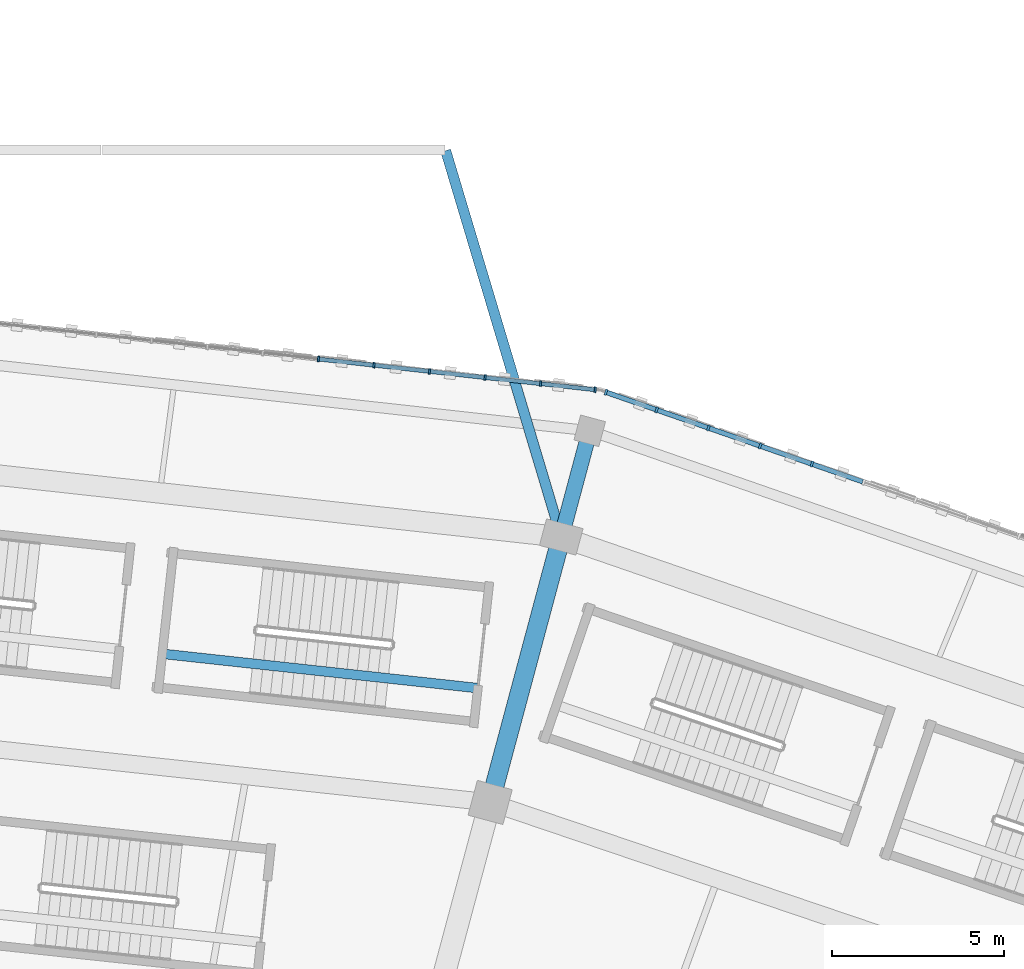
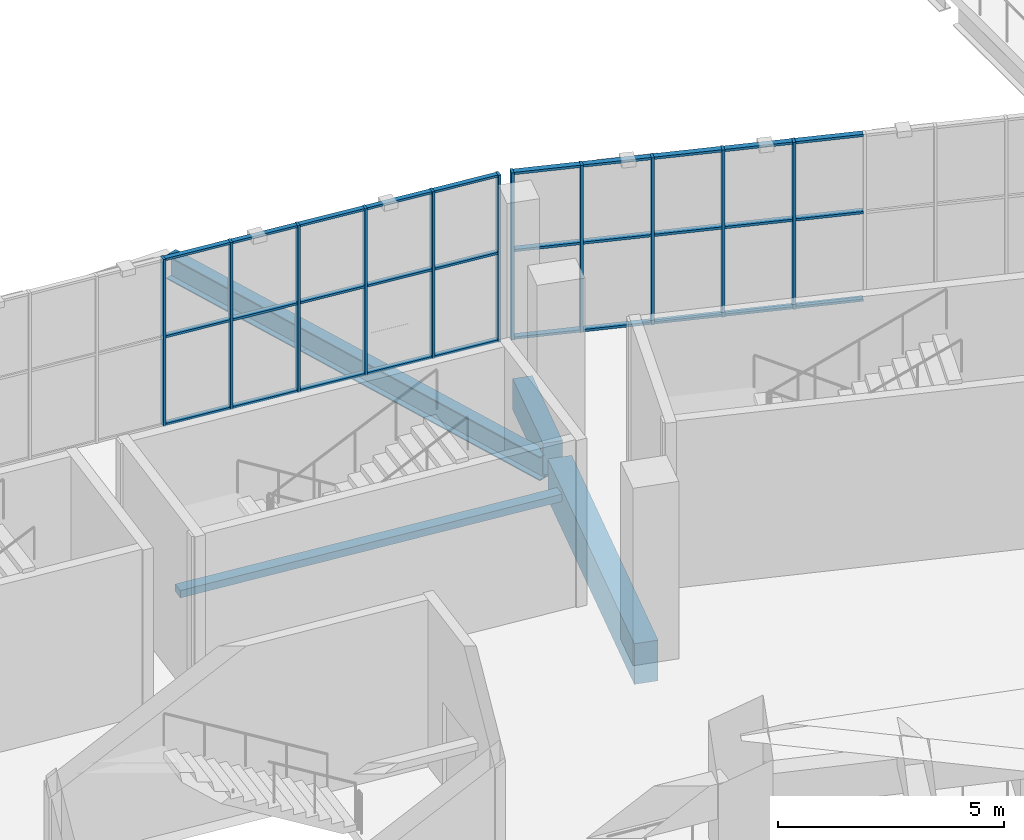
# One storey, part 64 of 183: 41 members, 4 beams, 2 elements without a shape of their own.
"""IFC4 building model written with IfcOpenShell, lengths in metres."""

from ifc_helpers import new_model, si_unit, direction, frame, origin, origin_2d, place, context, subcontext, project, spatial, rectangle, i_section, extrude, material, material_profile, profile_set, type_object, element, aggregate, save


model = new_model("IFC4")

# Units and contexts
model_context = context("Model", 3, precision=1e-05, world=origin(), true_north=direction((0.0, 1.0)))
body_context = subcontext(model_context, "Body", "Model", "MODEL_VIEW")
ifc_project = project(units=[si_unit("LENGTHUNIT", "METRE"), si_unit("AREAUNIT", "SQUARE_METRE"), si_unit("VOLUMEUNIT", "CUBIC_METRE"), si_unit("PLANEANGLEUNIT", "RADIAN"), si_unit("MASSUNIT", "GRAM", prefix="KILO")], contexts=[model_context])

# Site, building, storey
site_placement = place(None, origin())
site = spatial("IfcSite", under=ifc_project, at=site_placement, CompositionType="ELEMENT")
building_placement = place(site_placement, origin())
building = spatial("IfcBuilding", under=site, at=building_placement, Name="Zevraka Park Crest Stadium", CompositionType="ELEMENT")
storey_placement = place(building_placement, frame((0.0, 0.0, 5.39990234375)))
storey = spatial("IfcBuildingStorey", under=building, at=storey_placement, Name="L01", CompositionType="ELEMENT", Elevation=5.39990234375)

# Beams
ifc_material_1 = material(Name="Concrete C40/50", Category="concrete")
ifc_material_profile_1 = material_profile(ifc_material_1, rectangle(XDim=0.550048828125, YDim=1.10009765625, at=origin_2d()), Name="RC 1100x550")
ifc_profile_set_1 = profile_set([ifc_material_profile_1], Name="Concrete C40/50")
beam_type_1 = type_object("IfcBeamType", Name="BG02", PredefinedType="BEAM", material=ifc_profile_set_1)
beam_1_placement = place(storey_placement, frame((133.37890625, 157.297119140625, -0.559814453125), z_axis=(0.258697599806, 0.965958359276, 0.0), x_axis=(-0.965958359276, 0.258697599806, 0.0)))
element("IfcBeam", 1, at=beam_1_placement, inside=storey, type_object=beam_type_1, Name="Radial Girder BG02 L01-CD-05", PredefinedType="BEAM", context=body_context, shape_type="SweptSolid", body=[
    extrude(rectangle(XDim=0.550048828125, YDim=1.10009765625, at=origin_2d()), origin(), (0.0, 0.0, 1.0), 7.39892578125),
])
ifc_material_2 = material(Name="Concrete C40/50", Category="concrete")
ifc_material_profile_2 = material_profile(ifc_material_2, rectangle(XDim=0.449951171875, YDim=0.85009765625, at=origin_2d()), Name="RC 850x450")
ifc_profile_set_2 = profile_set([ifc_material_profile_2], Name="Concrete C40/50")
beam_type_2 = type_object("IfcBeamType", Name="BG03", PredefinedType="BEAM", material=ifc_profile_set_2)
beam_2_placement = place(storey_placement, frame((135.448974609375, 165.02392578125, -0.434814453125), z_axis=(0.258919157159, 0.965898995784, 0.0), x_axis=(-0.965898995784, 0.258919157159, 0.0)))
element("IfcBeam", 2, at=beam_2_placement, inside=storey, type_object=beam_type_2, Name="Radial Girder BG03 L01-DE-05", PredefinedType="BEAM", context=body_context, shape_type="SweptSolid", body=[
    extrude(rectangle(XDim=0.449951171875, YDim=0.85009765625, at=origin_2d()), origin(), (0.0, 0.0, 1.0), 2.599609375),
])
ifc_material_3 = material(Name="Steel S355", Category="steel")
ifc_material_profile_3 = material_profile(ifc_material_3, i_section(OverallWidth=0.300048828125, OverallDepth=0.64990234375, WebThickness=0.01611328125, FlangeThickness=0.031005859375, at=origin_2d()), Name="HEB 650")
ifc_profile_set_3 = profile_set([ifc_material_profile_3], Name="Steel S355")
beam_type_3 = type_object("IfcBeamType", Name="BG07", PredefinedType="BEAM", material=ifc_profile_set_3)
beam_3_placement = place(storey_placement, frame((132.006103515625, 175.98095703125, -0.635009765625), z_axis=(0.286654964462, -0.958033888414, 0.0), x_axis=(0.958033888414, 0.286654964462, 0.0)))
element("IfcBeam", 3, at=beam_3_placement, inside=storey, type_object=beam_type_3, Name="Arcade Tie Beam BG07 PADN", PredefinedType="BEAM", context=body_context, shape_type="SweptSolid", body=[
    extrude(i_section(OverallWidth=0.300048828125, OverallDepth=0.64990234375, WebThickness=0.01611328125, FlangeThickness=0.031005859375, at=origin_2d()), origin(), (0.0, 0.0, 1.0), 11.37939453125),
])

# Curtain wall, members
ifc_material_4 = material(Name="Anodised architectural aluminium and laminated safety glass", Category="aluminium")
curtain_wall_type_1 = type_object("IfcCurtainWallType", Name="CW01", PredefinedType="NOTDEFINED", material=ifc_material_4)
curtain_wall_1_placement = place(storey_placement, origin())
curtain_wall_1 = element("IfcCurtainWall", 4, at=curtain_wall_1_placement, inside=storey, type_object=curtain_wall_type_1, Name="Unitised Ring Curtain Wall CW01 L01-05", PredefinedType="NOTDEFINED")
ifc_material_5 = material(Name="Anodised architectural aluminium", Category="aluminium")
ifc_material_profile_4 = material_profile(ifc_material_5, rectangle(XDim=0.159912109375, YDim=0.06005859375, at=origin_2d()), Name="ALU MULLION 160x60")
ifc_profile_set_4 = profile_set([ifc_material_profile_4], Name="Anodised architectural aluminium")
member_type_1 = type_object("IfcMemberType", Name="CM01", PredefinedType="MULLION", material=ifc_profile_set_4)
member_1_placement = place(storey_placement, frame((136.358154296875, 169.020263671875, 0.0), z_axis=(0.0, 0.0, 1.0), x_axis=(-0.110134718639, -0.993916668414, 0.0)))
member_1 = element("IfcMember", 5, at=member_1_placement, type_object=member_type_1, Name="CW01 mullion 1", PredefinedType="MULLION", context=body_context, shape_type="SweptSolid", body=[
    extrude(rectangle(XDim=0.159912109375, YDim=0.06005859375, at=origin_2d()), origin(), (0.0, 0.0, 1.0), 4.52001953125),
])
member_2_placement = place(storey_placement, frame((134.770751953125, 169.1962890625, 0.0), z_axis=(0.0, 0.0, 1.0), x_axis=(-0.110134718639, -0.993916668414, 0.0)))
member_2 = element("IfcMember", 6, at=member_2_placement, type_object=member_type_1, Name="CW01 mullion 2", PredefinedType="MULLION", context=body_context, shape_type="SweptSolid", body=[
    extrude(rectangle(XDim=0.159912109375, YDim=0.06005859375, at=origin_2d()), origin(), (0.0, 0.0, 1.0), 4.52001953125),
])
member_3_placement = place(storey_placement, frame((133.153564453125, 169.37548828125, 0.0), z_axis=(0.0, 0.0, 1.0), x_axis=(-0.110134718639, -0.993916668414, 0.0)))
member_3 = element("IfcMember", 7, at=member_3_placement, type_object=member_type_1, Name="CW01 mullion 3", PredefinedType="MULLION", context=body_context, shape_type="SweptSolid", body=[
    extrude(rectangle(XDim=0.159912109375, YDim=0.06005859375, at=origin_2d()), origin(), (0.0, 0.0, 1.0), 4.52001953125),
])
member_4_placement = place(storey_placement, frame((131.536376953125, 169.5546875, 0.0), z_axis=(0.0, 0.0, 1.0), x_axis=(-0.110134718639, -0.993916668414, 0.0)))
member_4 = element("IfcMember", 8, at=member_4_placement, type_object=member_type_1, Name="CW01 mullion 4", PredefinedType="MULLION", context=body_context, shape_type="SweptSolid", body=[
    extrude(rectangle(XDim=0.159912109375, YDim=0.06005859375, at=origin_2d()), origin(), (0.0, 0.0, 1.0), 4.52001953125),
])
member_5_placement = place(storey_placement, frame((129.919189453125, 169.73388671875, 0.0), z_axis=(0.0, 0.0, 1.0), x_axis=(-0.110134718639, -0.993916668414, 0.0)))
member_5 = element("IfcMember", 9, at=member_5_placement, type_object=member_type_1, Name="CW01 mullion 5", PredefinedType="MULLION", context=body_context, shape_type="SweptSolid", body=[
    extrude(rectangle(XDim=0.159912109375, YDim=0.06005859375, at=origin_2d()), origin(), (0.0, 0.0, 1.0), 4.52001953125),
])
member_6_placement = place(storey_placement, frame((128.302001953125, 169.9130859375, 0.0), z_axis=(0.0, 0.0, 1.0), x_axis=(-0.110134718639, -0.993916668414, 0.0)))
member_6 = element("IfcMember", 10, at=member_6_placement, type_object=member_type_1, Name="CW01 mullion 6", PredefinedType="MULLION", context=body_context, shape_type="SweptSolid", body=[
    extrude(rectangle(XDim=0.159912109375, YDim=0.06005859375, at=origin_2d()), origin(), (0.0, 0.0, 1.0), 4.52001953125),
])

ifc_material_6 = material(Name="Anodised architectural aluminium and laminated safety glass", Category="aluminium")
curtain_wall_type_2 = type_object("IfcCurtainWallType", Name="CW02", PredefinedType="NOTDEFINED", material=ifc_material_6)
curtain_wall_2_placement = place(storey_placement, origin())
curtain_wall_2 = element("IfcCurtainWall", 11, at=curtain_wall_2_placement, inside=storey, type_object=curtain_wall_type_2, Name="Unitised Ring Curtain Wall CW02 L01-04", PredefinedType="NOTDEFINED")
ifc_material_7 = material(Name="Anodised architectural aluminium", Category="aluminium")
ifc_material_profile_5 = material_profile(ifc_material_7, rectangle(XDim=0.179931640625, YDim=0.06494140625, at=origin_2d()), Name="ALU MULLION 180x65")
ifc_profile_set_5 = profile_set([ifc_material_profile_5], Name="Anodised architectural aluminium")
member_type_2 = type_object("IfcMemberType", Name="CM02", PredefinedType="MULLION", material=ifc_profile_set_5)
member_7_placement = place(storey_placement, frame((142.66845703125, 166.85791015625, 0.0), z_axis=(0.0, 0.0, 1.0), x_axis=(-0.329209289879, -0.944256979565, 0.0)))
member_7 = element("IfcMember", 12, at=member_7_placement, type_object=member_type_2, Name="CW02 mullion 12", PredefinedType="MULLION", context=body_context, shape_type="SweptSolid", body=[
    extrude(rectangle(XDim=0.179931640625, YDim=0.06494140625, at=origin_2d()), origin(), (0.0, 0.0, 1.0), 4.52001953125),
])
member_8_placement = place(storey_placement, frame((141.161865234375, 167.38330078125, 0.0), z_axis=(0.0, 0.0, 1.0), x_axis=(-0.329209289879, -0.944256979565, 0.0)))
member_8 = element("IfcMember", 13, at=member_8_placement, type_object=member_type_2, Name="CW02 mullion 13", PredefinedType="MULLION", context=body_context, shape_type="SweptSolid", body=[
    extrude(rectangle(XDim=0.179931640625, YDim=0.06494140625, at=origin_2d()), origin(), (0.0, 0.0, 1.0), 4.52001953125),
])
member_9_placement = place(storey_placement, frame((139.6552734375, 167.908447265625, 0.0), z_axis=(0.0, 0.0, 1.0), x_axis=(-0.329209289879, -0.944256979565, 0.0)))
member_9 = element("IfcMember", 14, at=member_9_placement, type_object=member_type_2, Name="CW02 mullion 14", PredefinedType="MULLION", context=body_context, shape_type="SweptSolid", body=[
    extrude(rectangle(XDim=0.179931640625, YDim=0.06494140625, at=origin_2d()), origin(), (0.0, 0.0, 1.0), 4.52001953125),
])
member_10_placement = place(storey_placement, frame((138.148681640625, 168.433837890625, 0.0), z_axis=(0.0, 0.0, 1.0), x_axis=(-0.329209289879, -0.944256979565, 0.0)))
member_10 = element("IfcMember", 15, at=member_10_placement, type_object=member_type_2, Name="CW02 mullion 15", PredefinedType="MULLION", context=body_context, shape_type="SweptSolid", body=[
    extrude(rectangle(XDim=0.179931640625, YDim=0.06494140625, at=origin_2d()), origin(), (0.0, 0.0, 1.0), 4.52001953125),
])
member_11_placement = place(storey_placement, frame((136.672607421875, 168.9482421875, 0.0), z_axis=(0.0, 0.0, 1.0), x_axis=(-0.329209289879, -0.944256979565, 0.0)))
member_11 = element("IfcMember", 16, at=member_11_placement, type_object=member_type_2, Name="CW02 mullion 16", PredefinedType="MULLION", context=body_context, shape_type="SweptSolid", body=[
    extrude(rectangle(XDim=0.179931640625, YDim=0.06494140625, at=origin_2d()), origin(), (0.0, 0.0, 1.0), 4.52001953125),
])

# Member
ifc_material_8 = material(Name="Anodised architectural aluminium", Category="aluminium")
ifc_material_profile_6 = material_profile(ifc_material_8, rectangle(XDim=0.1201171875, YDim=0.06005859375, at=origin_2d()), Name="ALU TRANSOM 120x60")
ifc_profile_set_6 = profile_set([ifc_material_profile_6], Name="Anodised architectural aluminium")
member_type_3 = type_object("IfcMemberType", Name="CT01", PredefinedType="USERDEFINED", material=ifc_profile_set_6)
member_12_placement = place(storey_placement, frame((136.328369140625, 169.023681640625, 0.030029296875), z_axis=(-0.99392434185, 0.110065447252, 0.0), x_axis=(-0.110065447252, -0.99392434185, 0.0)))
member_12 = element("IfcMember", 17, at=member_12_placement, type_object=member_type_3, Name="CW01 transom 1.1", ObjectType="TRANSOM", PredefinedType="USERDEFINED", context=body_context, shape_type="SweptSolid", body=[
    extrude(rectangle(XDim=0.1201171875, YDim=0.06005859375, at=origin_2d()), origin(), (0.0, 0.0, 1.0), 1.537109375),
])

member_13_placement = place(storey_placement, frame((136.328369140625, 169.023681640625, 2.400146484375), z_axis=(-0.99392434185, 0.110065447252, 0.0), x_axis=(-0.110065447252, -0.99392434185, 0.0)))
member_13 = element("IfcMember", 18, at=member_13_placement, type_object=member_type_3, Name="CW01 transom 1.2", ObjectType="TRANSOM", PredefinedType="USERDEFINED", context=body_context, shape_type="SweptSolid", body=[
    extrude(rectangle(XDim=0.1201171875, YDim=0.06005859375, at=origin_2d()), origin(), (0.0, 0.0, 1.0), 1.537109375),
])

member_14_placement = place(storey_placement, frame((136.328369140625, 169.023681640625, 4.489990234375), z_axis=(-0.99392434185, 0.110065447252, 0.0), x_axis=(-0.110065447252, -0.99392434185, 0.0)))
member_14 = element("IfcMember", 19, at=member_14_placement, type_object=member_type_3, Name="CW01 transom 1.3", ObjectType="TRANSOM", PredefinedType="USERDEFINED", context=body_context, shape_type="SweptSolid", body=[
    extrude(rectangle(XDim=0.1201171875, YDim=0.06005859375, at=origin_2d()), origin(), (0.0, 0.0, 1.0), 1.537109375),
])

member_15_placement = place(storey_placement, frame((134.740966796875, 169.199462890625, 0.030029296875), z_axis=(-0.993915989308, 0.110140847091, 0.0), x_axis=(-0.110140847091, -0.993915989308, 0.0)))
member_15 = element("IfcMember", 20, at=member_15_placement, type_object=member_type_3, Name="CW01 transom 2.1", ObjectType="TRANSOM", PredefinedType="USERDEFINED", context=body_context, shape_type="SweptSolid", body=[
    extrude(rectangle(XDim=0.1201171875, YDim=0.06005859375, at=origin_2d()), origin(), (0.0, 0.0, 1.0), 1.567138671875),
])

member_16_placement = place(storey_placement, frame((134.740966796875, 169.199462890625, 2.400146484375), z_axis=(-0.993915989308, 0.110140847091, 0.0), x_axis=(-0.110140847091, -0.993915989308, 0.0)))
member_16 = element("IfcMember", 21, at=member_16_placement, type_object=member_type_3, Name="CW01 transom 2.2", ObjectType="TRANSOM", PredefinedType="USERDEFINED", context=body_context, shape_type="SweptSolid", body=[
    extrude(rectangle(XDim=0.1201171875, YDim=0.06005859375, at=origin_2d()), origin(), (0.0, 0.0, 1.0), 1.567138671875),
])

member_17_placement = place(storey_placement, frame((134.740966796875, 169.199462890625, 4.489990234375), z_axis=(-0.993915989308, 0.110140847091, 0.0), x_axis=(-0.110140847091, -0.993915989308, 0.0)))
member_17 = element("IfcMember", 22, at=member_17_placement, type_object=member_type_3, Name="CW01 transom 2.3", ObjectType="TRANSOM", PredefinedType="USERDEFINED", context=body_context, shape_type="SweptSolid", body=[
    extrude(rectangle(XDim=0.1201171875, YDim=0.06005859375, at=origin_2d()), origin(), (0.0, 0.0, 1.0), 1.567138671875),
])

member_18_placement = place(storey_placement, frame((133.123779296875, 169.378662109375, 0.030029296875), z_axis=(-0.993915989308, 0.110140847091, 0.0), x_axis=(-0.110140847091, -0.993915989308, 0.0)))
member_18 = element("IfcMember", 23, at=member_18_placement, type_object=member_type_3, Name="CW01 transom 3.1", ObjectType="TRANSOM", PredefinedType="USERDEFINED", context=body_context, shape_type="SweptSolid", body=[
    extrude(rectangle(XDim=0.1201171875, YDim=0.06005859375, at=origin_2d()), origin(), (0.0, 0.0, 1.0), 1.567138671875),
])

member_19_placement = place(storey_placement, frame((133.123779296875, 169.378662109375, 2.400146484375), z_axis=(-0.993915989308, 0.110140847091, 0.0), x_axis=(-0.110140847091, -0.993915989308, 0.0)))
member_19 = element("IfcMember", 24, at=member_19_placement, type_object=member_type_3, Name="CW01 transom 3.2", ObjectType="TRANSOM", PredefinedType="USERDEFINED", context=body_context, shape_type="SweptSolid", body=[
    extrude(rectangle(XDim=0.1201171875, YDim=0.06005859375, at=origin_2d()), origin(), (0.0, 0.0, 1.0), 1.567138671875),
])

member_20_placement = place(storey_placement, frame((133.123779296875, 169.378662109375, 4.489990234375), z_axis=(-0.993915989308, 0.110140847091, 0.0), x_axis=(-0.110140847091, -0.993915989308, 0.0)))
member_20 = element("IfcMember", 25, at=member_20_placement, type_object=member_type_3, Name="CW01 transom 3.3", ObjectType="TRANSOM", PredefinedType="USERDEFINED", context=body_context, shape_type="SweptSolid", body=[
    extrude(rectangle(XDim=0.1201171875, YDim=0.06005859375, at=origin_2d()), origin(), (0.0, 0.0, 1.0), 1.567138671875),
])

member_21_placement = place(storey_placement, frame((131.506591796875, 169.557861328125, 0.030029296875), z_axis=(-0.993915989308, 0.110140847091, 0.0), x_axis=(-0.110140847091, -0.993915989308, 0.0)))
member_21 = element("IfcMember", 26, at=member_21_placement, type_object=member_type_3, Name="CW01 transom 4.1", ObjectType="TRANSOM", PredefinedType="USERDEFINED", context=body_context, shape_type="SweptSolid", body=[
    extrude(rectangle(XDim=0.1201171875, YDim=0.06005859375, at=origin_2d()), origin(), (0.0, 0.0, 1.0), 1.567138671875),
])

member_22_placement = place(storey_placement, frame((131.506591796875, 169.557861328125, 2.400146484375), z_axis=(-0.993915989308, 0.110140847091, 0.0), x_axis=(-0.110140847091, -0.993915989308, 0.0)))
member_22 = element("IfcMember", 27, at=member_22_placement, type_object=member_type_3, Name="CW01 transom 4.2", ObjectType="TRANSOM", PredefinedType="USERDEFINED", context=body_context, shape_type="SweptSolid", body=[
    extrude(rectangle(XDim=0.1201171875, YDim=0.06005859375, at=origin_2d()), origin(), (0.0, 0.0, 1.0), 1.567138671875),
])

member_23_placement = place(storey_placement, frame((131.506591796875, 169.557861328125, 4.489990234375), z_axis=(-0.993915989308, 0.110140847091, 0.0), x_axis=(-0.110140847091, -0.993915989308, 0.0)))
member_23 = element("IfcMember", 28, at=member_23_placement, type_object=member_type_3, Name="CW01 transom 4.3", ObjectType="TRANSOM", PredefinedType="USERDEFINED", context=body_context, shape_type="SweptSolid", body=[
    extrude(rectangle(XDim=0.1201171875, YDim=0.06005859375, at=origin_2d()), origin(), (0.0, 0.0, 1.0), 1.567138671875),
])

member_24_placement = place(storey_placement, frame((129.889404296875, 169.737060546875, 0.030029296875), z_axis=(-0.993915989308, 0.110140847091, 0.0), x_axis=(-0.110140847091, -0.993915989308, 0.0)))
member_24 = element("IfcMember", 29, at=member_24_placement, type_object=member_type_3, Name="CW01 transom 5.1", ObjectType="TRANSOM", PredefinedType="USERDEFINED", context=body_context, shape_type="SweptSolid", body=[
    extrude(rectangle(XDim=0.1201171875, YDim=0.06005859375, at=origin_2d()), origin(), (0.0, 0.0, 1.0), 1.567138671875),
])

member_25_placement = place(storey_placement, frame((129.889404296875, 169.737060546875, 2.400146484375), z_axis=(-0.993915989308, 0.110140847091, 0.0), x_axis=(-0.110140847091, -0.993915989308, 0.0)))
member_25 = element("IfcMember", 30, at=member_25_placement, type_object=member_type_3, Name="CW01 transom 5.2", ObjectType="TRANSOM", PredefinedType="USERDEFINED", context=body_context, shape_type="SweptSolid", body=[
    extrude(rectangle(XDim=0.1201171875, YDim=0.06005859375, at=origin_2d()), origin(), (0.0, 0.0, 1.0), 1.567138671875),
])

member_26_placement = place(storey_placement, frame((129.889404296875, 169.737060546875, 4.489990234375), z_axis=(-0.993915989308, 0.110140847091, 0.0), x_axis=(-0.110140847091, -0.993915989308, 0.0)))
member_26 = element("IfcMember", 31, at=member_26_placement, type_object=member_type_3, Name="CW01 transom 5.3", ObjectType="TRANSOM", PredefinedType="USERDEFINED", context=body_context, shape_type="SweptSolid", body=[
    extrude(rectangle(XDim=0.1201171875, YDim=0.06005859375, at=origin_2d()), origin(), (0.0, 0.0, 1.0), 1.567138671875),
])

aggregate(curtain_wall_1, [member_1, member_2, member_3, member_4, member_5, member_6, member_12, member_13, member_14, member_15, member_16, member_17, member_18, member_19, member_20, member_21, member_22, member_23, member_24, member_25, member_26])

ifc_material_9 = material(Name="Anodised architectural aluminium", Category="aluminium")
ifc_material_profile_7 = material_profile(ifc_material_9, rectangle(XDim=0.139892578125, YDim=0.06494140625, at=origin_2d()), Name="ALU TRANSOM 140x65")
ifc_profile_set_7 = profile_set([ifc_material_profile_7], Name="Anodised architectural aluminium")
member_type_4 = type_object("IfcMemberType", Name="CT02", PredefinedType="USERDEFINED", material=ifc_profile_set_7)
member_27_placement = place(storey_placement, frame((144.144287109375, 166.34326171875, 0.03271484375), z_axis=(-0.944255540278, 0.329213418097, 0.0), x_axis=(-0.329213418097, -0.944255540278, 0.0)))
member_27 = element("IfcMember", 32, at=member_27_placement, type_object=member_type_4, Name="CW02 transom 11.1", ObjectType="TRANSOM", PredefinedType="USERDEFINED", context=body_context, shape_type="SweptSolid", body=[
    extrude(rectangle(XDim=0.139892578125, YDim=0.06494140625, at=origin_2d()), origin(), (0.0, 0.0, 1.0), 1.530517578125),
])

member_28_placement = place(storey_placement, frame((144.144287109375, 166.34326171875, 2.400146484375), z_axis=(-0.944255540278, 0.329213418097, 0.0), x_axis=(-0.329213418097, -0.944255540278, 0.0)))
member_28 = element("IfcMember", 33, at=member_28_placement, type_object=member_type_4, Name="CW02 transom 11.2", ObjectType="TRANSOM", PredefinedType="USERDEFINED", context=body_context, shape_type="SweptSolid", body=[
    extrude(rectangle(XDim=0.139892578125, YDim=0.06494140625, at=origin_2d()), origin(), (0.0, 0.0, 1.0), 1.530517578125),
])

member_29_placement = place(storey_placement, frame((144.144287109375, 166.34326171875, 4.487548828125), z_axis=(-0.944255540278, 0.329213418097, 0.0), x_axis=(-0.329213418097, -0.944255540278, 0.0)))
member_29 = element("IfcMember", 34, at=member_29_placement, type_object=member_type_4, Name="CW02 transom 11.3", ObjectType="TRANSOM", PredefinedType="USERDEFINED", context=body_context, shape_type="SweptSolid", body=[
    extrude(rectangle(XDim=0.139892578125, YDim=0.06494140625, at=origin_2d()), origin(), (0.0, 0.0, 1.0), 1.530517578125),
])

member_30_placement = place(storey_placement, frame((142.6376953125, 166.86865234375, 0.03271484375), z_axis=(-0.944255540278, 0.329213418097, 0.0), x_axis=(-0.329213418097, -0.944255540278, 0.0)))
member_30 = element("IfcMember", 35, at=member_30_placement, type_object=member_type_4, Name="CW02 transom 12.1", ObjectType="TRANSOM", PredefinedType="USERDEFINED", context=body_context, shape_type="SweptSolid", body=[
    extrude(rectangle(XDim=0.139892578125, YDim=0.06494140625, at=origin_2d()), origin(), (0.0, 0.0, 1.0), 1.530517578125),
])

member_31_placement = place(storey_placement, frame((142.6376953125, 166.86865234375, 2.400146484375), z_axis=(-0.944255540278, 0.329213418097, 0.0), x_axis=(-0.329213418097, -0.944255540278, 0.0)))
member_31 = element("IfcMember", 36, at=member_31_placement, type_object=member_type_4, Name="CW02 transom 12.2", ObjectType="TRANSOM", PredefinedType="USERDEFINED", context=body_context, shape_type="SweptSolid", body=[
    extrude(rectangle(XDim=0.139892578125, YDim=0.06494140625, at=origin_2d()), origin(), (0.0, 0.0, 1.0), 1.530517578125),
])

member_32_placement = place(storey_placement, frame((142.6376953125, 166.86865234375, 4.487548828125), z_axis=(-0.944255540278, 0.329213418097, 0.0), x_axis=(-0.329213418097, -0.944255540278, 0.0)))
member_32 = element("IfcMember", 37, at=member_32_placement, type_object=member_type_4, Name="CW02 transom 12.3", ObjectType="TRANSOM", PredefinedType="USERDEFINED", context=body_context, shape_type="SweptSolid", body=[
    extrude(rectangle(XDim=0.139892578125, YDim=0.06494140625, at=origin_2d()), origin(), (0.0, 0.0, 1.0), 1.530517578125),
])

member_33_placement = place(storey_placement, frame((141.131103515625, 167.393798828125, 0.03271484375), z_axis=(-0.944255540278, 0.329213418097, 0.0), x_axis=(-0.329213418097, -0.944255540278, 0.0)))
member_33 = element("IfcMember", 38, at=member_33_placement, type_object=member_type_4, Name="CW02 transom 13.1", ObjectType="TRANSOM", PredefinedType="USERDEFINED", context=body_context, shape_type="SweptSolid", body=[
    extrude(rectangle(XDim=0.139892578125, YDim=0.06494140625, at=origin_2d()), origin(), (0.0, 0.0, 1.0), 1.530517578125),
])

member_34_placement = place(storey_placement, frame((141.131103515625, 167.393798828125, 2.400146484375), z_axis=(-0.944255540278, 0.329213418097, 0.0), x_axis=(-0.329213418097, -0.944255540278, 0.0)))
member_34 = element("IfcMember", 39, at=member_34_placement, type_object=member_type_4, Name="CW02 transom 13.2", ObjectType="TRANSOM", PredefinedType="USERDEFINED", context=body_context, shape_type="SweptSolid", body=[
    extrude(rectangle(XDim=0.139892578125, YDim=0.06494140625, at=origin_2d()), origin(), (0.0, 0.0, 1.0), 1.530517578125),
])

member_35_placement = place(storey_placement, frame((141.131103515625, 167.393798828125, 4.487548828125), z_axis=(-0.944255540278, 0.329213418097, 0.0), x_axis=(-0.329213418097, -0.944255540278, 0.0)))
member_35 = element("IfcMember", 40, at=member_35_placement, type_object=member_type_4, Name="CW02 transom 13.3", ObjectType="TRANSOM", PredefinedType="USERDEFINED", context=body_context, shape_type="SweptSolid", body=[
    extrude(rectangle(XDim=0.139892578125, YDim=0.06494140625, at=origin_2d()), origin(), (0.0, 0.0, 1.0), 1.530517578125),
])

member_36_placement = place(storey_placement, frame((139.62451171875, 167.919189453125, 0.03271484375), z_axis=(-0.944255540278, 0.329213418097, 0.0), x_axis=(-0.329213418097, -0.944255540278, 0.0)))
member_36 = element("IfcMember", 41, at=member_36_placement, type_object=member_type_4, Name="CW02 transom 14.1", ObjectType="TRANSOM", PredefinedType="USERDEFINED", context=body_context, shape_type="SweptSolid", body=[
    extrude(rectangle(XDim=0.139892578125, YDim=0.06494140625, at=origin_2d()), origin(), (0.0, 0.0, 1.0), 1.530517578125),
])

member_37_placement = place(storey_placement, frame((139.62451171875, 167.919189453125, 2.400146484375), z_axis=(-0.944255540278, 0.329213418097, 0.0), x_axis=(-0.329213418097, -0.944255540278, 0.0)))
member_37 = element("IfcMember", 42, at=member_37_placement, type_object=member_type_4, Name="CW02 transom 14.2", ObjectType="TRANSOM", PredefinedType="USERDEFINED", context=body_context, shape_type="SweptSolid", body=[
    extrude(rectangle(XDim=0.139892578125, YDim=0.06494140625, at=origin_2d()), origin(), (0.0, 0.0, 1.0), 1.530517578125),
])

member_38_placement = place(storey_placement, frame((139.62451171875, 167.919189453125, 4.487548828125), z_axis=(-0.944255540278, 0.329213418097, 0.0), x_axis=(-0.329213418097, -0.944255540278, 0.0)))
member_38 = element("IfcMember", 43, at=member_38_placement, type_object=member_type_4, Name="CW02 transom 14.3", ObjectType="TRANSOM", PredefinedType="USERDEFINED", context=body_context, shape_type="SweptSolid", body=[
    extrude(rectangle(XDim=0.139892578125, YDim=0.06494140625, at=origin_2d()), origin(), (0.0, 0.0, 1.0), 1.530517578125),
])

member_39_placement = place(storey_placement, frame((138.117919921875, 168.4443359375, 0.03271484375), z_axis=(-0.944259100234, 0.329203207192, 0.0), x_axis=(-0.329203207192, -0.944259100234, 0.0)))
member_39 = element("IfcMember", 44, at=member_39_placement, type_object=member_type_4, Name="CW02 transom 15.1", ObjectType="TRANSOM", PredefinedType="USERDEFINED", context=body_context, shape_type="SweptSolid", body=[
    extrude(rectangle(XDim=0.139892578125, YDim=0.06494140625, at=origin_2d()), origin(), (0.0, 0.0, 1.0), 1.498046875),
])

member_40_placement = place(storey_placement, frame((138.117919921875, 168.4443359375, 2.400146484375), z_axis=(-0.944259100234, 0.329203207192, 0.0), x_axis=(-0.329203207192, -0.944259100234, 0.0)))
member_40 = element("IfcMember", 45, at=member_40_placement, type_object=member_type_4, Name="CW02 transom 15.2", ObjectType="TRANSOM", PredefinedType="USERDEFINED", context=body_context, shape_type="SweptSolid", body=[
    extrude(rectangle(XDim=0.139892578125, YDim=0.06494140625, at=origin_2d()), origin(), (0.0, 0.0, 1.0), 1.498046875),
])

member_41_placement = place(storey_placement, frame((138.117919921875, 168.4443359375, 4.487548828125), z_axis=(-0.944259100234, 0.329203207192, 0.0), x_axis=(-0.329203207192, -0.944259100234, 0.0)))
member_41 = element("IfcMember", 46, at=member_41_placement, type_object=member_type_4, Name="CW02 transom 15.3", ObjectType="TRANSOM", PredefinedType="USERDEFINED", context=body_context, shape_type="SweptSolid", body=[
    extrude(rectangle(XDim=0.139892578125, YDim=0.06494140625, at=origin_2d()), origin(), (0.0, 0.0, 1.0), 1.498046875),
])

aggregate(curtain_wall_2, [member_7, member_8, member_9, member_10, member_11, member_27, member_28, member_29, member_30, member_31, member_32, member_33, member_34, member_35, member_36, member_37, member_38, member_39, member_40, member_41])

# Beam
ifc_material_10 = material(Name="Concrete C40/50", Category="concrete")
ifc_material_profile_8 = material_profile(ifc_material_10, rectangle(XDim=0.280029296875, YDim=0.199951171875, at=origin_2d()), Name="RC 200x280")
ifc_profile_set_8 = profile_set([ifc_material_profile_8], Name="Concrete C40/50")
beam_type_4 = type_object("IfcBeamType", Name="SJ13", PredefinedType="JOIST", material=ifc_profile_set_8)
beam_4_placement = place(storey_placement, frame((132.91796875, 160.3369140625, 2.300048828125), z_axis=(-0.994127809114, 0.108212287404, 0.0), x_axis=(-0.108212287404, -0.994127809114, 0.0)))
element("IfcBeam", 47, at=beam_4_placement, inside=storey, type_object=beam_type_4, Name="Stair Upper-Flight Longitudinal Stringer SJ13 ST06-L01", PredefinedType="JOIST", context=body_context, shape_type="SweptSolid", body=[
    extrude(rectangle(XDim=0.280029296875, YDim=0.199951171875, at=origin_2d()), origin(), (0.0, 0.0, 1.0), 9.25),
])

save(model, "model.ifc")
